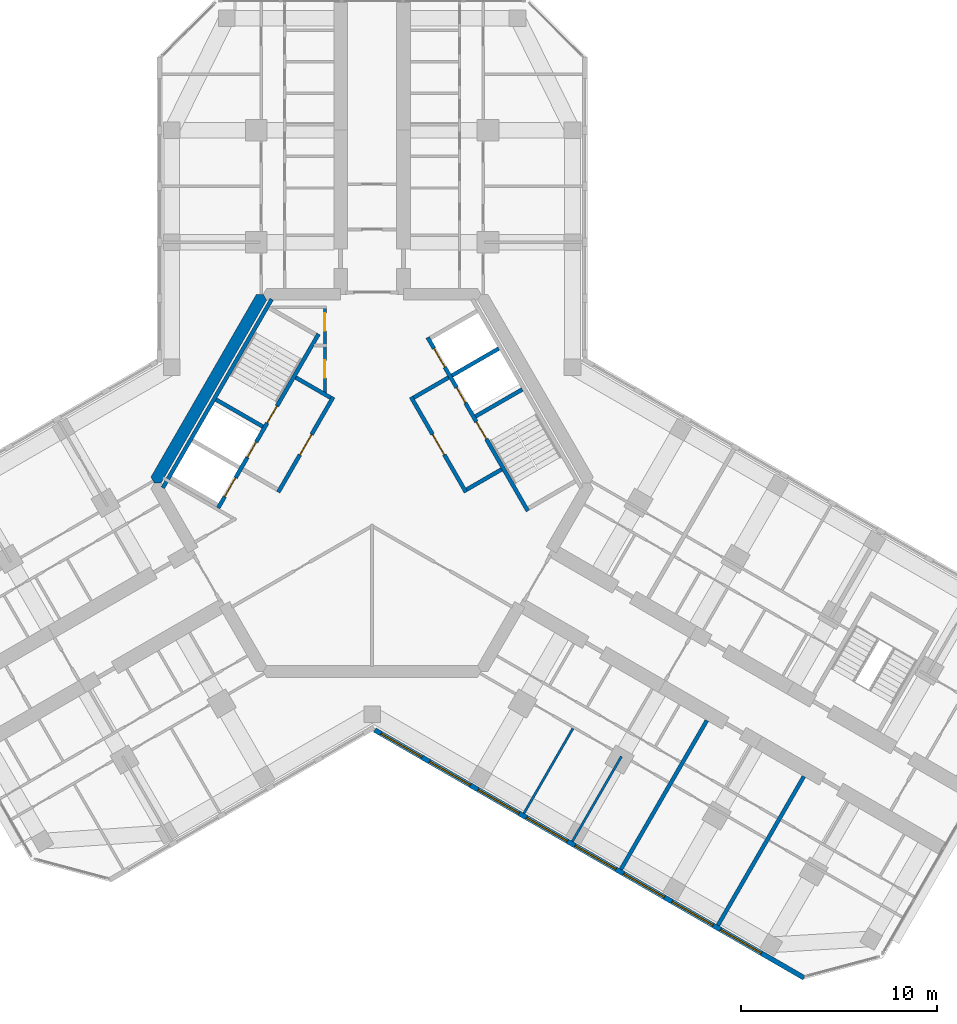
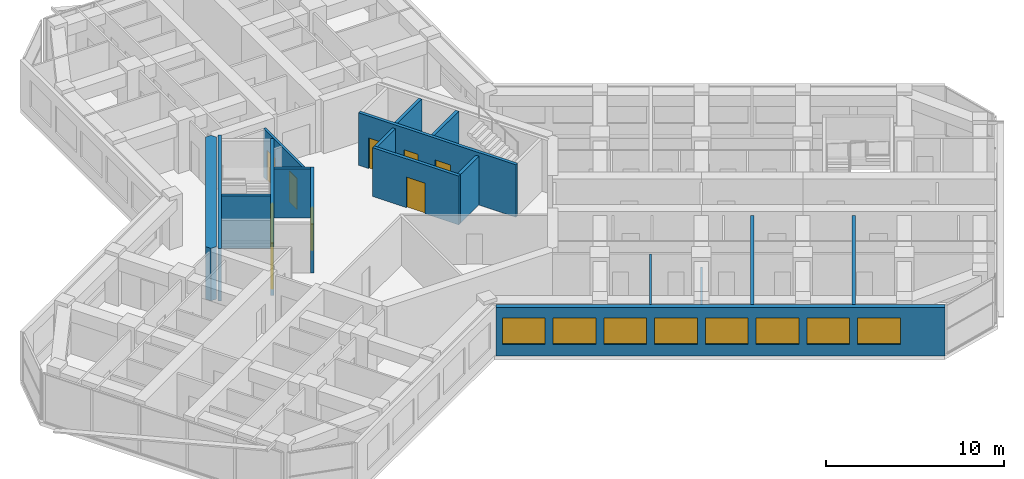
# One storey, part 10 of 16: 18 walls, 10 doors, 8 windows, 18 openings.
"""IFC4 building model written with IfcOpenShell, lengths in metres."""

from ifc_helpers import new_model, si_unit, direction, frame, frame_2d, origin, place, context, subcontext, project, spatial, polyline, rectangle, outline, extrude, material, layer, layer_set, type_object, element, fill, save


model = new_model("IFC4")

# Units and contexts
model_context = context("Model", 3, precision=1e-05, world=origin(), true_north=direction((0.0, 1.0)))
body_context = subcontext(model_context, "Body", "Model", "MODEL_VIEW")
ifc_project = project(units=[si_unit("LENGTHUNIT", "METRE"), si_unit("AREAUNIT", "SQUARE_METRE"), si_unit("VOLUMEUNIT", "CUBIC_METRE"), si_unit("PLANEANGLEUNIT", "RADIAN"), si_unit("MASSUNIT", "GRAM", prefix="KILO")], contexts=[model_context])

# Site, building, storey
site_placement = place(None, origin())
site = spatial("IfcSite", under=ifc_project, at=site_placement, CompositionType="ELEMENT")
building_placement = place(site_placement, origin())
building = spatial("IfcBuilding", under=site, at=building_placement, Name="Kosmar Iwan School Tower", CompositionType="ELEMENT")
storey_placement = place(building_placement, frame((0.0, 0.0, 238.800048828125)))
storey = spatial("IfcBuildingStorey", under=building, at=storey_placement, Name="L60", CompositionType="ELEMENT", Elevation=238.800048828125)

# Wall, openings, doors
ifc_material_1 = material(Name="Gypsum board on steel studs, fire-rated", Category="steel")
ifc_layer_1 = layer(ifc_material_1, 0.14990234375)
ifc_layer_set_1 = layer_set([ifc_layer_1], Name="Core room partition 150")
wall_type_1 = type_object("IfcWallType", Name="Core room partition 150", PredefinedType="PARTITIONING", material=ifc_layer_set_1)
wall_1_placement = place(storey_placement, frame((-2.39990234375, 9.014892578125, 0.0), z_axis=(0.0, 0.0, 1.0), x_axis=(0.0, -1.0, 0.0)))
wall_1 = element("IfcWall", 1, at=wall_1_placement, inside=storey, type_object=wall_type_1, Name="Core room partition L60-CW1", PredefinedType="PARTITIONING", context=body_context, shape_type="SweptSolid", body=[
    extrude(rectangle(XDim=4.484130859375, YDim=0.14990234375, at=frame_2d((2.2421875, 0.0))), origin(), (0.0, 0.0, 1.0), 3.349853515625),
])
opening_1_placement = place(wall_1_placement, frame((0.375, 0.0, 0.0)))
opening_1 = element("IfcOpeningElement", 2, at=opening_1_placement, cuts=wall_1, Name="Opening D14", PredefinedType="OPENING", context=body_context, shape_type="SweptSolid", body=[
    extrude(rectangle(XDim=0.89990234375, YDim=2.10009765625, at=frame_2d((0.449951171875, 1.050048828125))), frame((0.0, 0.0869140625, 0.0), z_axis=(0.0, -1.0, 0.0), x_axis=(1.0, 0.0, 0.0)), (0.0, 0.0, 1.0), 0.173828125),
])
opening_2_placement = place(wall_1_placement, frame((2.77490234375, 0.0, 0.0)))
opening_2 = element("IfcOpeningElement", 3, at=opening_2_placement, cuts=wall_1, Name="Opening D14", PredefinedType="OPENING", context=body_context, shape_type="SweptSolid", body=[
    extrude(rectangle(XDim=0.89990234375, YDim=2.10009765625, at=frame_2d((0.449951171875, 1.050048828125))), frame((0.0, 0.0869140625, 0.0), z_axis=(0.0, -1.0, 0.0), x_axis=(1.0, 0.0, 0.0)), (0.0, 0.0, 1.0), 0.173828125),
])
ifc_material_2 = material(Name="Timber fire door in steel frame", Category="steel")
door_type_1 = type_object("IfcDoorType", Name="Core room door 900x2100", OperationType="SINGLE_SWING_LEFT", PredefinedType="DOOR", material=ifc_material_2)
door_1_placement = place(opening_1_placement, origin())
door_1 = element("IfcDoor", 4, at=door_1_placement, inside=storey, type_object=door_type_1, Name="Electrical riser and switch room door L60 1", OperationType="SINGLE_SWING_LEFT", OverallHeight=2.10009765625, OverallWidth=0.89990234375, PredefinedType="DOOR", context=body_context, shape_type="SweptSolid", body=[
    extrude(rectangle(XDim=0.89990234375, YDim=2.10009765625, at=frame_2d((0.449951171875, 1.050048828125))), frame((0.0, 0.02490234375, 0.0), z_axis=(0.0, -1.0, 0.0), x_axis=(1.0, 0.0, 0.0)), (0.0, 0.0, 1.0), 0.050048828125),
])
fill(opening_1, door_1)
door_2_placement = place(opening_2_placement, origin())
door_2 = element("IfcDoor", 5, at=door_2_placement, inside=storey, type_object=door_type_1, Name="Plumbing and wet riser door L60 2", OperationType="SINGLE_SWING_RIGHT", OverallHeight=2.10009765625, OverallWidth=0.89990234375, PredefinedType="DOOR", context=body_context, shape_type="SweptSolid", body=[
    extrude(rectangle(XDim=0.89990234375, YDim=2.10009765625, at=frame_2d((0.449951171875, 1.050048828125))), frame((0.0, 0.02490234375, 0.0), z_axis=(0.0, -1.0, 0.0), x_axis=(1.0, 0.0, 0.0)), (0.0, 0.0, 1.0), 0.050048828125),
])
fill(opening_2, door_2)

# Walls
ifc_material_3 = material(Name="Concrete C50/60", Category="concrete")
ifc_layer_2 = layer(ifc_material_3, 0.60009765625)
ifc_layer_set_2 = layer_set([ifc_layer_2], Name="Core wall 600")
wall_type_2 = type_object("IfcWallType", Name="Core wall 600", PredefinedType="SHEAR", material=ifc_layer_set_2)
wall_2_placement = place(storey_placement, origin())
element("IfcWall", 6, at=wall_2_placement, inside=storey, type_object=wall_type_2, Name="Core wall F150", PredefinedType="SHEAR", context=body_context, shape_type="SweptSolid", body=[
    extrude(outline(polyline([(-11.085205078125, 0.0), (-10.73876953125, 0.0), (-5.369384765625, 9.300048828125), (-5.54248046875, 9.60009765625), (-5.888916015625, 9.60009765625), (-11.25830078125, 0.300048828125), (-11.085205078125, 0.0)])), origin(), (0.0, 0.0, 1.0), 3.599853515625),
])
ifc_material_4 = material(Name="Gypsum board on steel studs", Category="steel")
ifc_layer_3 = layer(ifc_material_4, 0.1201171875)
ifc_layer_set_3 = layer_set([ifc_layer_3], Name="Dwelling partition 120")
wall_type_3 = type_object("IfcWallType", Name="Dwelling partition 120", PredefinedType="PARTITIONING", material=ifc_layer_set_3)
wall_3_placement = place(storey_placement, frame((10.221923828125, -12.4951171875, 0.0), z_axis=(0.0, 0.0, 1.0), x_axis=(-0.499996339024, -0.86602751744, 0.0)))
element("IfcWall", 7, at=wall_3_placement, inside=storey, type_object=wall_type_3, Name="Partition L60-CR1-X1", PredefinedType="PARTITIONING", context=body_context, shape_type="SweptSolid", body=[
    extrude(rectangle(XDim=4.98974609375, YDim=0.1201171875, at=frame_2d((2.494873046875, 0.0))), origin(), (0.0, 0.0, 1.0), 3.349853515625),
])
wall_4_placement = place(storey_placement, frame((12.690185546875, -13.919921875, 0.0), z_axis=(0.0, 0.0, 1.0), x_axis=(-0.500011847778, -0.866018563358, 0.0)))
element("IfcWall", 8, at=wall_4_placement, inside=storey, type_object=wall_type_3, Name="Partition L60-CR1-X2", PredefinedType="PARTITIONING", context=body_context, shape_type="SweptSolid", body=[
    extrude(rectangle(XDim=4.990234375, YDim=0.1201171875, at=frame_2d((2.4951171875, 0.0))), origin(), (0.0, 0.0, 1.0), 2.449951171875),
])

# Wall, openings, windows
ifc_material_5 = material(Name="Black aluminium rainscreen on insulated framing", Category="aluminium")
ifc_layer_4 = layer(ifc_material_5, 0.25)
ifc_layer_set_4 = layer_set([ifc_layer_4], Name="External wall rainscreen 250")
wall_type_4 = type_object("IfcWallType", Name="External wall rainscreen 250", PredefinedType="SOLIDWALL", material=ifc_layer_set_4)
wall_5_placement = place(storey_placement, frame((0.137939453125, -12.5791015625, 0.0), z_axis=(0.0, 0.0, 1.0), x_axis=(0.866023775649, -0.500002820003, 0.0)))
wall_5 = element("IfcWall", 9, at=wall_5_placement, inside=storey, type_object=wall_type_4, Name="External wall CR L60", PredefinedType="SOLIDWALL", context=body_context, shape_type="SweptSolid", body=[
    extrude(rectangle(XDim=25.226318359375, YDim=0.25, at=frame_2d((12.61328125, 0.0))), origin(), (0.0, 0.0, 1.0), 3.349853515625),
])
opening_3_placement = place(wall_5_placement, frame((0.365966796875, 0.0, 0.800048828125)))
opening_3 = element("IfcOpeningElement", 10, at=opening_3_placement, cuts=wall_5, Name="Opening W5", PredefinedType="OPENING", context=body_context, shape_type="SweptSolid", body=[
    extrude(rectangle(XDim=2.39990234375, YDim=1.800048828125, at=frame_2d((1.199951171875, 0.89990234375))), frame((0.0, 0.136962890625, 0.0), z_axis=(0.0, -1.0, 0.0), x_axis=(1.0, 0.0, 0.0)), (0.0, 0.0, 1.0), 0.27392578125),
])
opening_4_placement = place(wall_5_placement, frame((3.216064453125, 0.0, 0.800048828125)))
opening_4 = element("IfcOpeningElement", 11, at=opening_4_placement, cuts=wall_5, Name="Opening W5", PredefinedType="OPENING", context=body_context, shape_type="SweptSolid", body=[
    extrude(rectangle(XDim=2.39990234375, YDim=1.800048828125, at=frame_2d((1.199951171875, 0.89990234375))), frame((0.0, 0.136962890625, 0.0), z_axis=(0.0, -1.0, 0.0), x_axis=(1.0, 0.0, 0.0)), (0.0, 0.0, 1.0), 0.27392578125),
])
opening_5_placement = place(wall_5_placement, frame((6.06591796875, 0.0, 0.800048828125)))
opening_5 = element("IfcOpeningElement", 12, at=opening_5_placement, cuts=wall_5, Name="Opening W5", PredefinedType="OPENING", context=body_context, shape_type="SweptSolid", body=[
    extrude(rectangle(XDim=2.39990234375, YDim=1.800048828125, at=frame_2d((1.199951171875, 0.89990234375))), frame((0.0, 0.136962890625, 0.0), z_axis=(0.0, -1.0, 0.0), x_axis=(1.0, 0.0, 0.0)), (0.0, 0.0, 1.0), 0.27392578125),
])
opening_6_placement = place(wall_5_placement, frame((8.916015625, 0.0, 0.800048828125)))
opening_6 = element("IfcOpeningElement", 13, at=opening_6_placement, cuts=wall_5, Name="Opening W5", PredefinedType="OPENING", context=body_context, shape_type="SweptSolid", body=[
    extrude(rectangle(XDim=2.39990234375, YDim=1.800048828125, at=frame_2d((1.199951171875, 0.89990234375))), frame((0.0, 0.136962890625, 0.0), z_axis=(0.0, -1.0, 0.0), x_axis=(1.0, 0.0, 0.0)), (0.0, 0.0, 1.0), 0.27392578125),
])
opening_7_placement = place(wall_5_placement, frame((11.76611328125, 0.0, 0.800048828125)))
opening_7 = element("IfcOpeningElement", 14, at=opening_7_placement, cuts=wall_5, Name="Opening W5", PredefinedType="OPENING", context=body_context, shape_type="SweptSolid", body=[
    extrude(rectangle(XDim=2.39990234375, YDim=1.800048828125, at=frame_2d((1.199951171875, 0.89990234375))), frame((0.0, 0.136962890625, 0.0), z_axis=(0.0, -1.0, 0.0), x_axis=(1.0, 0.0, 0.0)), (0.0, 0.0, 1.0), 0.27392578125),
])
opening_8_placement = place(wall_5_placement, frame((14.615966796875, 0.0, 0.800048828125)))
opening_8 = element("IfcOpeningElement", 15, at=opening_8_placement, cuts=wall_5, Name="Opening W5", PredefinedType="OPENING", context=body_context, shape_type="SweptSolid", body=[
    extrude(rectangle(XDim=2.39990234375, YDim=1.800048828125, at=frame_2d((1.199951171875, 0.89990234375))), frame((0.0, 0.136962890625, 0.0), z_axis=(0.0, -1.0, 0.0), x_axis=(1.0, 0.0, 0.0)), (0.0, 0.0, 1.0), 0.27392578125),
])
opening_9_placement = place(wall_5_placement, frame((17.466064453125, 0.0, 0.800048828125)))
opening_9 = element("IfcOpeningElement", 16, at=opening_9_placement, cuts=wall_5, Name="Opening W5", PredefinedType="OPENING", context=body_context, shape_type="SweptSolid", body=[
    extrude(rectangle(XDim=2.39990234375, YDim=1.800048828125, at=frame_2d((1.199951171875, 0.89990234375))), frame((0.0, 0.136962890625, 0.0), z_axis=(0.0, -1.0, 0.0), x_axis=(1.0, 0.0, 0.0)), (0.0, 0.0, 1.0), 0.27392578125),
])
opening_10_placement = place(wall_5_placement, frame((20.31591796875, 0.0, 0.800048828125)))
opening_10 = element("IfcOpeningElement", 17, at=opening_10_placement, cuts=wall_5, Name="Opening W5", PredefinedType="OPENING", context=body_context, shape_type="SweptSolid", body=[
    extrude(rectangle(XDim=2.39990234375, YDim=1.800048828125, at=frame_2d((1.199951171875, 0.89990234375))), frame((0.0, 0.136962890625, 0.0), z_axis=(0.0, -1.0, 0.0), x_axis=(1.0, 0.0, 0.0)), (0.0, 0.0, 1.0), 0.27392578125),
])
ifc_material_6 = material(Name="Black aluminium frame with dark triple glazing", Category="aluminium")
window_type = type_object("IfcWindowType", Name="Window 2400x1800", PartitioningType="SINGLE_PANEL", PredefinedType="WINDOW", material=ifc_material_6)
window_1_placement = place(opening_3_placement, origin())
window_1 = element("IfcWindow", 18, at=window_1_placement, inside=storey, type_object=window_type, Name="Window CR L60 -1", OverallHeight=1.800048828125, OverallWidth=2.39990234375, PartitioningType="SINGLE_PANEL", PredefinedType="WINDOW", context=body_context, shape_type="SweptSolid", body=[
    extrude(rectangle(XDim=2.39990234375, YDim=1.800048828125, at=frame_2d((1.199951171875, 0.89990234375))), frame((0.0, 0.030029296875, 0.0), z_axis=(0.0, -1.0, 0.0), x_axis=(1.0, 0.0, 0.0)), (0.0, 0.0, 1.0), 0.06005859375),
])
fill(opening_3, window_1)
window_2_placement = place(opening_4_placement, origin())
window_2 = element("IfcWindow", 19, at=window_2_placement, inside=storey, type_object=window_type, Name="Window CR L60 0", OverallHeight=1.800048828125, OverallWidth=2.39990234375, PartitioningType="SINGLE_PANEL", PredefinedType="WINDOW", context=body_context, shape_type="SweptSolid", body=[
    extrude(rectangle(XDim=2.39990234375, YDim=1.800048828125, at=frame_2d((1.199951171875, 0.89990234375))), frame((0.0, 0.030029296875, 0.0), z_axis=(0.0, -1.0, 0.0), x_axis=(1.0, 0.0, 0.0)), (0.0, 0.0, 1.0), 0.06005859375),
])
fill(opening_4, window_2)
window_3_placement = place(opening_5_placement, origin())
window_3 = element("IfcWindow", 20, at=window_3_placement, inside=storey, type_object=window_type, Name="Window CR L60 1", OverallHeight=1.800048828125, OverallWidth=2.39990234375, PartitioningType="SINGLE_PANEL", PredefinedType="WINDOW", context=body_context, shape_type="SweptSolid", body=[
    extrude(rectangle(XDim=2.39990234375, YDim=1.800048828125, at=frame_2d((1.199951171875, 0.89990234375))), frame((0.0, 0.030029296875, 0.0), z_axis=(0.0, -1.0, 0.0), x_axis=(1.0, 0.0, 0.0)), (0.0, 0.0, 1.0), 0.06005859375),
])
fill(opening_5, window_3)
window_4_placement = place(opening_6_placement, origin())
window_4 = element("IfcWindow", 21, at=window_4_placement, inside=storey, type_object=window_type, Name="Window CR L60 2", OverallHeight=1.800048828125, OverallWidth=2.39990234375, PartitioningType="SINGLE_PANEL", PredefinedType="WINDOW", context=body_context, shape_type="SweptSolid", body=[
    extrude(rectangle(XDim=2.39990234375, YDim=1.800048828125, at=frame_2d((1.199951171875, 0.89990234375))), frame((0.0, 0.030029296875, 0.0), z_axis=(0.0, -1.0, 0.0), x_axis=(1.0, 0.0, 0.0)), (0.0, 0.0, 1.0), 0.06005859375),
])
fill(opening_6, window_4)
window_5_placement = place(opening_7_placement, origin())
window_5 = element("IfcWindow", 22, at=window_5_placement, inside=storey, type_object=window_type, Name="Window CR L60 3", OverallHeight=1.800048828125, OverallWidth=2.39990234375, PartitioningType="SINGLE_PANEL", PredefinedType="WINDOW", context=body_context, shape_type="SweptSolid", body=[
    extrude(rectangle(XDim=2.39990234375, YDim=1.800048828125, at=frame_2d((1.199951171875, 0.89990234375))), frame((0.0, 0.030029296875, 0.0), z_axis=(0.0, -1.0, 0.0), x_axis=(1.0, 0.0, 0.0)), (0.0, 0.0, 1.0), 0.06005859375),
])
fill(opening_7, window_5)
window_6_placement = place(opening_8_placement, origin())
window_6 = element("IfcWindow", 23, at=window_6_placement, inside=storey, type_object=window_type, Name="Window CR L60 4", OverallHeight=1.800048828125, OverallWidth=2.39990234375, PartitioningType="SINGLE_PANEL", PredefinedType="WINDOW", context=body_context, shape_type="SweptSolid", body=[
    extrude(rectangle(XDim=2.39990234375, YDim=1.800048828125, at=frame_2d((1.199951171875, 0.89990234375))), frame((0.0, 0.030029296875, 0.0), z_axis=(0.0, -1.0, 0.0), x_axis=(1.0, 0.0, 0.0)), (0.0, 0.0, 1.0), 0.06005859375),
])
fill(opening_8, window_6)
window_7_placement = place(opening_9_placement, origin())
window_7 = element("IfcWindow", 24, at=window_7_placement, inside=storey, type_object=window_type, Name="Window CR L60 5", OverallHeight=1.800048828125, OverallWidth=2.39990234375, PartitioningType="SINGLE_PANEL", PredefinedType="WINDOW", context=body_context, shape_type="SweptSolid", body=[
    extrude(rectangle(XDim=2.39990234375, YDim=1.800048828125, at=frame_2d((1.199951171875, 0.89990234375))), frame((0.0, 0.030029296875, 0.0), z_axis=(0.0, -1.0, 0.0), x_axis=(1.0, 0.0, 0.0)), (0.0, 0.0, 1.0), 0.06005859375),
])
fill(opening_9, window_7)
window_8_placement = place(opening_10_placement, origin())
window_8 = element("IfcWindow", 25, at=window_8_placement, inside=storey, type_object=window_type, Name="Window CR L60 6", OverallHeight=1.800048828125, OverallWidth=2.39990234375, PartitioningType="SINGLE_PANEL", PredefinedType="WINDOW", context=body_context, shape_type="SweptSolid", body=[
    extrude(rectangle(XDim=2.39990234375, YDim=1.800048828125, at=frame_2d((1.199951171875, 0.89990234375))), frame((0.0, 0.030029296875, 0.0), z_axis=(0.0, -1.0, 0.0), x_axis=(1.0, 0.0, 0.0)), (0.0, 0.0, 1.0), 0.06005859375),
])
fill(opening_10, window_8)

# Wall, opening, door
ifc_material_7 = material(Name="Concrete block masonry", Category="masonry")
ifc_layer_5 = layer(ifc_material_7, 0.199951171875)
ifc_layer_set_5 = layer_set([ifc_layer_5], Name="Fire lobby wall 200")
wall_type_5 = type_object("IfcWallType", Name="Fire lobby wall 200", PredefinedType="PARTITIONING", material=ifc_layer_set_5)
wall_6_placement = place(storey_placement, frame((-1.9775390625, 4.374755859375, 0.0), z_axis=(0.0, 0.0, 1.0), x_axis=(-0.500016814911, -0.866015695474, 0.0)))
wall_6 = element("IfcWall", 26, at=wall_6_placement, inside=storey, type_object=wall_type_5, Name="Firefighting lobby wall ST2", PredefinedType="PARTITIONING", context=body_context, shape_type="SweptSolid", body=[
    extrude(rectangle(XDim=5.599853515625, YDim=0.199951171875, at=frame_2d((2.7998046875, 0.0))), origin(), (0.0, 0.0, 1.0), 3.349853515625),
])
opening_11_placement = place(wall_6_placement, frame((2.199951171875, 0.0, 0.0)))
opening_11 = element("IfcOpeningElement", 27, at=opening_11_placement, cuts=wall_6, Name="Opening D7", PredefinedType="OPENING", context=body_context, shape_type="SweptSolid", body=[
    extrude(rectangle(XDim=1.199951171875, YDim=2.10009765625, at=frame_2d((0.60009765625, 1.050048828125))), frame((0.0, 0.112060546875, 0.0), z_axis=(0.0, -1.0, 0.0), x_axis=(1.0, 0.0, 0.0)), (0.0, 0.0, 1.0), 0.223876953125),
])
ifc_material_8 = material(Name="Steel fire door", Category="steel")
door_type_2 = type_object("IfcDoorType", Name="Fire lobby door 1200x2100", OperationType="SINGLE_SWING_LEFT", PredefinedType="DOOR", material=ifc_material_8)
door_3_placement = place(opening_11_placement, origin())
door_3 = element("IfcDoor", 28, at=door_3_placement, inside=storey, type_object=door_type_2, Name="Firefighting lobby door ST2 L60", OperationType="SINGLE_SWING_RIGHT", OverallHeight=2.10009765625, OverallWidth=1.199951171875, PredefinedType="DOOR", context=body_context, shape_type="SweptSolid", body=[
    extrude(rectangle(XDim=1.199951171875, YDim=2.10009765625, at=frame_2d((0.60009765625, 1.050048828125))), frame((0.0, 0.02490234375, 0.0), z_axis=(0.0, -1.0, 0.0), x_axis=(1.0, 0.0, 0.0)), (0.0, 0.0, 1.0), 0.050048828125),
])
fill(opening_11, door_3)

# Wall
wall_7_placement = place(storey_placement, frame((-2.114013671875, 4.33837890625, 0.0), z_axis=(0.0, 0.0, 1.0), x_axis=(-0.866050731258, 0.499956128963, 0.0)))
element("IfcWall", 29, at=wall_7_placement, inside=storey, type_object=wall_type_5, Name="Firefighting lobby wall ST2", PredefinedType="PARTITIONING", context=body_context, shape_type="SweptSolid", body=[
    extrude(rectangle(XDim=2.050048828125, YDim=0.199951171875, at=frame_2d((1.02490234375, 0.0))), origin(), (0.0, 0.0, 1.0), 3.349853515625),
])

# Wall, opening, door
wall_8_placement = place(storey_placement, frame((4.777587890625, -0.474853515625, 0.0), z_axis=(0.0, 0.0, 1.0), x_axis=(-0.500016814911, 0.866015695474, 0.0)))
wall_8 = element("IfcWall", 30, at=wall_8_placement, inside=storey, type_object=wall_type_5, Name="Firefighting lobby wall ST1", PredefinedType="PARTITIONING", context=body_context, shape_type="SweptSolid", body=[
    extrude(rectangle(XDim=5.599853515625, YDim=0.199951171875, at=frame_2d((2.7998046875, 0.0))), origin(), (0.0, 0.0, 1.0), 3.349853515625),
])
opening_12_placement = place(wall_8_placement, frame((2.199951171875, 0.0, 0.0)))
opening_12 = element("IfcOpeningElement", 31, at=opening_12_placement, cuts=wall_8, Name="Opening D7", PredefinedType="OPENING", context=body_context, shape_type="SweptSolid", body=[
    extrude(rectangle(XDim=1.199951171875, YDim=2.10009765625, at=frame_2d((0.60009765625, 1.050048828125))), frame((0.0, 0.112060546875, 0.0), z_axis=(0.0, -1.0, 0.0), x_axis=(1.0, 0.0, 0.0)), (0.0, 0.0, 1.0), 0.223876953125),
])
door_4_placement = place(opening_12_placement, origin())
door_4 = element("IfcDoor", 32, at=door_4_placement, inside=storey, type_object=door_type_2, Name="Firefighting lobby door ST1 L60", OperationType="SINGLE_SWING_RIGHT", OverallHeight=2.10009765625, OverallWidth=1.199951171875, PredefinedType="DOOR", context=body_context, shape_type="SweptSolid", body=[
    extrude(rectangle(XDim=1.199951171875, YDim=2.10009765625, at=frame_2d((0.60009765625, 1.050048828125))), frame((0.0, 0.02490234375, 0.0), z_axis=(0.0, -1.0, 0.0), x_axis=(1.0, 0.0, 0.0)), (0.0, 0.0, 1.0), 0.050048828125),
])
fill(opening_12, door_4)

# Walls
wall_9_placement = place(storey_placement, frame((4.814208984375, -0.33837890625, 0.0), z_axis=(0.0, 0.0, 1.0), x_axis=(0.865969381856, 0.500097020274, 0.0)))
element("IfcWall", 33, at=wall_9_placement, inside=storey, type_object=wall_type_5, Name="Firefighting lobby wall ST1", PredefinedType="PARTITIONING", context=body_context, shape_type="SweptSolid", body=[
    extrude(rectangle(XDim=2.0498046875, YDim=0.199951171875, at=frame_2d((1.02490234375, 0.0))), origin(), (0.0, 0.0, 1.0), 3.349853515625),
])
wall_10_placement = place(storey_placement, frame((2.114013671875, 4.33837890625, 0.0), z_axis=(0.0, 0.0, 1.0), x_axis=(0.866050731258, 0.499956128963, 0.0)))
element("IfcWall", 34, at=wall_10_placement, inside=storey, type_object=wall_type_5, Name="Firefighting lobby wall ST1", PredefinedType="PARTITIONING", context=body_context, shape_type="SweptSolid", body=[
    extrude(rectangle(XDim=2.050048828125, YDim=0.199951171875, at=frame_2d((1.02490234375, 0.0))), origin(), (0.0, 0.0, 1.0), 3.349853515625),
])

# Wall, openings, doors
ifc_material_9 = material(Name="Concrete C50/60", Category="concrete")
ifc_layer_6 = layer(ifc_material_9, 0.199951171875)
ifc_layer_set_6 = layer_set([ifc_layer_6], Name="Lift shaft wall 200")
wall_type_6 = type_object("IfcWallType", Name="Lift shaft wall 200", PredefinedType="SHEAR", material=ifc_layer_set_6)
wall_11_placement = place(storey_placement, frame((-2.72607421875, 7.578369140625, 0.0), z_axis=(0.0, 0.0, 1.0), x_axis=(-0.499998717582, -0.866026144187, 0.0)))
wall_11 = element("IfcWall", 35, at=wall_11_placement, inside=storey, type_object=wall_type_6, Name="Lift and stair front wall AB", PredefinedType="SHEAR", context=body_context, shape_type="SweptSolid", body=[
    extrude(rectangle(XDim=10.22509765625, YDim=0.199951171875, at=frame_2d((5.112548828125, 0.0))), origin(), (0.0, 0.0, 1.0), 3.599853515625),
])
opening_13_placement = place(wall_11_placement, frame((6.35009765625, 0.0, 0.0)))
opening_13 = element("IfcOpeningElement", 36, at=opening_13_placement, cuts=wall_11, Name="Opening LD2", PredefinedType="OPENING", context=body_context, shape_type="SweptSolid", body=[
    extrude(rectangle(XDim=0.89990234375, YDim=2.10009765625, at=frame_2d((0.449951171875, 1.050048828125))), frame((0.0, 0.112060546875, 0.0), z_axis=(0.0, -1.0, 0.0), x_axis=(1.0, 0.0, 0.0)), (0.0, 0.0, 1.0), 0.223876953125),
])
opening_14_placement = place(wall_11_placement, frame((8.449951171875, 0.0, 0.0)))
opening_14 = element("IfcOpeningElement", 37, at=opening_14_placement, cuts=wall_11, Name="Opening LD1", PredefinedType="OPENING", context=body_context, shape_type="SweptSolid", body=[
    extrude(rectangle(XDim=1.10009765625, YDim=2.10009765625, at=frame_2d((0.550048828125, 1.050048828125))), frame((0.0, 0.112060546875, 0.0), z_axis=(0.0, -1.0, 0.0), x_axis=(1.0, 0.0, 0.0)), (0.0, 0.0, 1.0), 0.223876953125),
])
opening_15_placement = place(wall_11_placement, frame((4.22998046875, 0.0, 0.0)))
opening_15 = element("IfcOpeningElement", 38, at=opening_15_placement, cuts=wall_11, Name="Opening D6", PredefinedType="OPENING", context=body_context, shape_type="SweptSolid", body=[
    extrude(rectangle(XDim=1.0, YDim=2.10009765625, at=frame_2d((0.5, 1.050048828125))), frame((0.0, 0.112060546875, 0.0), z_axis=(0.0, -1.0, 0.0), x_axis=(1.0, 0.0, 0.0)), (0.0, 0.0, 1.0), 0.223876953125),
])
ifc_material_10 = material(Name="Stainless steel sliding lift door", Category="steel")
door_type_3 = type_object("IfcDoorType", Name="Firefighting lift landing door 900x2100", OperationType="SLIDING_TO_LEFT", PredefinedType="DOOR", material=ifc_material_10)
door_5_placement = place(opening_13_placement, origin())
door_5 = element("IfcDoor", 39, at=door_5_placement, inside=storey, type_object=door_type_3, Name="Lift FF2 landing door L60", OperationType="SLIDING_TO_LEFT", OverallHeight=2.10009765625, OverallWidth=0.89990234375, PredefinedType="DOOR", context=body_context, shape_type="SweptSolid", body=[
    extrude(rectangle(XDim=0.89990234375, YDim=2.10009765625, at=frame_2d((0.449951171875, 1.050048828125))), frame((0.0, 0.02490234375, 0.0), z_axis=(0.0, -1.0, 0.0), x_axis=(1.0, 0.0, 0.0)), (0.0, 0.0, 1.0), 0.050048828125),
])
fill(opening_13, door_5)
ifc_material_11 = material(Name="Stainless steel sliding lift door", Category="steel")
door_type_4 = type_object("IfcDoorType", Name="Lift landing door 1100x2100", OperationType="SLIDING_TO_LEFT", PredefinedType="DOOR", material=ifc_material_11)
door_6_placement = place(opening_14_placement, origin())
door_6 = element("IfcDoor", 40, at=door_6_placement, inside=storey, type_object=door_type_4, Name="Lift PL6 landing door L60", OperationType="SLIDING_TO_LEFT", OverallHeight=2.10009765625, OverallWidth=1.10009765625, PredefinedType="DOOR", context=body_context, shape_type="SweptSolid", body=[
    extrude(rectangle(XDim=1.10009765625, YDim=2.10009765625, at=frame_2d((0.550048828125, 1.050048828125))), frame((0.0, 0.02490234375, 0.0), z_axis=(0.0, -1.0, 0.0), x_axis=(1.0, 0.0, 0.0)), (0.0, 0.0, 1.0), 0.050048828125),
])
fill(opening_14, door_6)
ifc_material_12 = material(Name="Steel fire door", Category="steel")
door_type_5 = type_object("IfcDoorType", Name="Stair door 1000x2100", OperationType="SINGLE_SWING_LEFT", PredefinedType="DOOR", material=ifc_material_12)
door_7_placement = place(opening_15_placement, origin())
door_7 = element("IfcDoor", 41, at=door_7_placement, inside=storey, type_object=door_type_5, Name="Stair ST2 door L60", OperationType="SINGLE_SWING_LEFT", OverallHeight=2.10009765625, OverallWidth=1.0, PredefinedType="DOOR", context=body_context, shape_type="SweptSolid", body=[
    extrude(rectangle(XDim=1.0, YDim=2.10009765625, at=frame_2d((0.5, 1.050048828125))), frame((0.0, 0.02490234375, 0.0), z_axis=(0.0, -1.0, 0.0), x_axis=(1.0, 0.0, 0.0)), (0.0, 0.0, 1.0), 0.050048828125),
])
fill(opening_15, door_7)

# Wall
wall_12_placement = place(storey_placement, frame((-5.109619140625, 9.35009765625, 0.0), z_axis=(0.0, 0.0, 1.0), x_axis=(-0.499990629522, -0.866030813765, 0.0)))
element("IfcWall", 42, at=wall_12_placement, inside=storey, type_object=wall_type_6, Name="Lift and stair back wall AB", PredefinedType="SHEAR", context=body_context, shape_type="SweptSolid", body=[
    extrude(rectangle(XDim=11.085205078125, YDim=0.199951171875, at=frame_2d((5.54248046875, 0.0))), origin(), (0.0, 0.0, 1.0), 3.599853515625),
])

# Wall, openings, doors
wall_13_placement = place(storey_placement, frame((7.926025390625, -1.42822265625, 0.0), z_axis=(0.0, 0.0, 1.0), x_axis=(-0.499998023675, 0.866026544813, 0.0)))
wall_13 = element("IfcWall", 43, at=wall_13_placement, inside=storey, type_object=wall_type_6, Name="Lift and stair front wall AC", PredefinedType="SHEAR", context=body_context, shape_type="SweptSolid", body=[
    extrude(rectangle(XDim=10.19970703125, YDim=0.199951171875, at=frame_2d((5.099853515625, 0.0))), origin(), (0.0, 0.0, 1.0), 3.599853515625),
])
opening_16_placement = place(wall_13_placement, frame((6.35009765625, 0.0, 0.0)))
opening_16 = element("IfcOpeningElement", 44, at=opening_16_placement, cuts=wall_13, Name="Opening LD2", PredefinedType="OPENING", context=body_context, shape_type="SweptSolid", body=[
    extrude(rectangle(XDim=0.89990234375, YDim=2.10009765625, at=frame_2d((0.449951171875, 1.050048828125))), frame((0.0, 0.112060546875, 0.0), z_axis=(0.0, -1.0, 0.0), x_axis=(1.0, 0.0, 0.0)), (0.0, 0.0, 1.0), 0.223876953125),
])
opening_17_placement = place(wall_13_placement, frame((8.449951171875, 0.0, 0.0)))
opening_17 = element("IfcOpeningElement", 45, at=opening_17_placement, cuts=wall_13, Name="Opening LD1", PredefinedType="OPENING", context=body_context, shape_type="SweptSolid", body=[
    extrude(rectangle(XDim=1.10009765625, YDim=2.10009765625, at=frame_2d((0.550048828125, 1.050048828125))), frame((0.0, 0.112060546875, 0.0), z_axis=(0.0, -1.0, 0.0), x_axis=(1.0, 0.0, 0.0)), (0.0, 0.0, 1.0), 0.223876953125),
])
opening_18_placement = place(wall_13_placement, frame((4.22998046875, 0.0, 0.0)))
opening_18 = element("IfcOpeningElement", 46, at=opening_18_placement, cuts=wall_13, Name="Opening D6", PredefinedType="OPENING", context=body_context, shape_type="SweptSolid", body=[
    extrude(rectangle(XDim=1.0, YDim=2.10009765625, at=frame_2d((0.5, 1.050048828125))), frame((0.0, 0.112060546875, 0.0), z_axis=(0.0, -1.0, 0.0), x_axis=(1.0, 0.0, 0.0)), (0.0, 0.0, 1.0), 0.223876953125),
])
door_8_placement = place(opening_16_placement, origin())
door_8 = element("IfcDoor", 47, at=door_8_placement, inside=storey, type_object=door_type_3, Name="Lift FF1 landing door L60", OperationType="SLIDING_TO_LEFT", OverallHeight=2.10009765625, OverallWidth=0.89990234375, PredefinedType="DOOR", context=body_context, shape_type="SweptSolid", body=[
    extrude(rectangle(XDim=0.89990234375, YDim=2.10009765625, at=frame_2d((0.449951171875, 1.050048828125))), frame((0.0, 0.02490234375, 0.0), z_axis=(0.0, -1.0, 0.0), x_axis=(1.0, 0.0, 0.0)), (0.0, 0.0, 1.0), 0.050048828125),
])
fill(opening_16, door_8)
door_9_placement = place(opening_17_placement, origin())
door_9 = element("IfcDoor", 48, at=door_9_placement, inside=storey, type_object=door_type_4, Name="Lift PL5 landing door L60", OperationType="SLIDING_TO_LEFT", OverallHeight=2.10009765625, OverallWidth=1.10009765625, PredefinedType="DOOR", context=body_context, shape_type="SweptSolid", body=[
    extrude(rectangle(XDim=1.10009765625, YDim=2.10009765625, at=frame_2d((0.550048828125, 1.050048828125))), frame((0.0, 0.02490234375, 0.0), z_axis=(0.0, -1.0, 0.0), x_axis=(1.0, 0.0, 0.0)), (0.0, 0.0, 1.0), 0.050048828125),
])
fill(opening_17, door_9)
door_10_placement = place(opening_18_placement, origin())
door_10 = element("IfcDoor", 49, at=door_10_placement, inside=storey, type_object=door_type_5, Name="Stair ST1 door L60", OperationType="SINGLE_SWING_LEFT", OverallHeight=2.10009765625, OverallWidth=1.0, PredefinedType="DOOR", context=body_context, shape_type="SweptSolid", body=[
    extrude(rectangle(XDim=1.0, YDim=2.10009765625, at=frame_2d((0.5, 1.050048828125))), frame((0.0, 0.02490234375, 0.0), z_axis=(0.0, -1.0, 0.0), x_axis=(1.0, 0.0, 0.0)), (0.0, 0.0, 1.0), 0.050048828125),
])
fill(opening_18, door_10)

# Walls
wall_14_placement = place(storey_placement, frame((4.062744140625, 5.46337890625, 0.0), z_axis=(0.0, 0.0, 1.0), x_axis=(0.866027397988, 0.499996545922, 0.0)))
element("IfcWall", 50, at=wall_14_placement, inside=storey, type_object=wall_type_6, Name="Lift shaft wall AC 1", PredefinedType="SHEAR", context=body_context, shape_type="SweptSolid", body=[
    extrude(rectangle(XDim=2.75, YDim=0.199951171875, at=frame_2d((1.375, 0.0))), origin(), (0.0, 0.0, 1.0), 3.599853515625),
])
ifc_material_13 = material(Name="Concrete block masonry", Category="masonry")
ifc_layer_7 = layer(ifc_material_13, 0.199951171875)
ifc_layer_set_7 = layer_set([ifc_layer_7], Name="Party wall 200")
wall_type_7 = type_object("IfcWallType", Name="Party wall 200", PredefinedType="PARTITIONING", material=ifc_layer_set_7)
for number, where, z_axis, x_axis, name in (
    (51, (17.038330078125, -12.088623046875, 0.0), (0.0, 0.0, 1.0), (-0.499992152613, -0.866029934428, 0.0), "Partition L60-CR2-PW"),
    (52, (21.974609375, -14.938720703125, 0.0), (0.0, 0.0, 1.0), (-0.499992152613, -0.866029934428, 0.0), "Partition L60-CR3-PW"),
):
    element("IfcWall", number, at=place(storey_placement, frame(where, z_axis=z_axis, x_axis=x_axis)), inside=storey, type_object=wall_type_7, Name=name, PredefinedType="PARTITIONING", context=body_context, shape_type="SweptSolid", body=[
        extrude(rectangle(XDim=8.750244140625, YDim=0.199951171875, at=frame_2d((4.375, 0.0))), origin(), (0.0, 0.0, 1.0), 3.349853515625),
    ])
ifc_material_14 = material(Name="Concrete C50/60", Category="concrete")
ifc_layer_8 = layer(ifc_material_14, 0.199951171875)
ifc_layer_set_8 = layer_set([ifc_layer_8], Name="Stair enclosure wall 200")
wall_type_8 = type_object("IfcWallType", Name="Stair enclosure wall 200", PredefinedType="SHEAR", material=ifc_layer_set_8)
for number, where, z_axis, x_axis, name in (
    (53, (-5.562744140625, 2.865234375, 0.0), (0.0, 0.0, 1.0), (-0.866027397988, 0.499996545922, 0.0), "Stair ST2 wall"),
    (54, (5.2626953125, 3.384765625, 0.0), (0.0, 0.0, 1.0), (0.866027397988, 0.499996545922, 0.0), "Stair ST1 wall"),
):
    element("IfcWall", number, at=place(storey_placement, frame(where, z_axis=z_axis, x_axis=x_axis)), inside=storey, type_object=wall_type_8, Name=name, PredefinedType="SHEAR", context=body_context, shape_type="SweptSolid", body=[
        extrude(rectangle(XDim=2.75, YDim=0.199951171875, at=frame_2d((1.375, 0.0))), origin(), (0.0, 0.0, 1.0), 3.599853515625),
    ])

save(model, "model.ifc")
